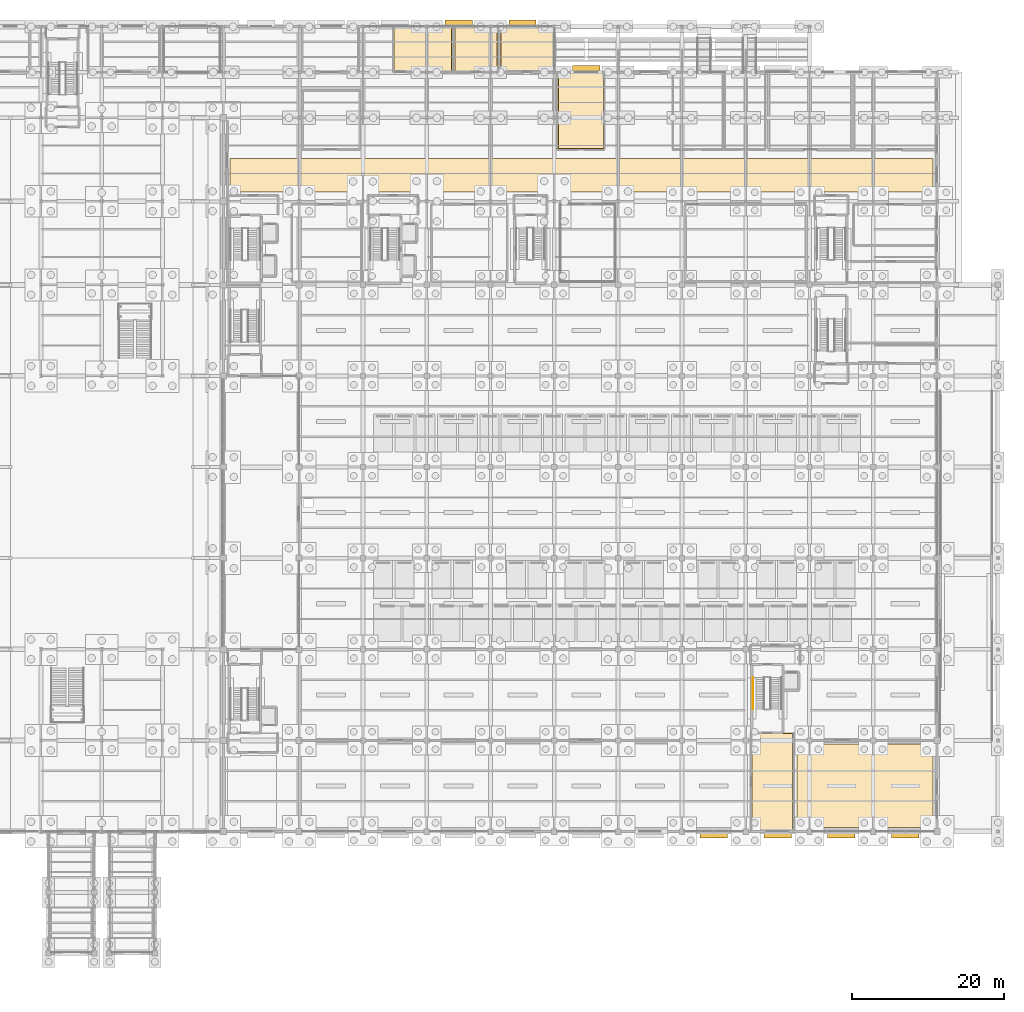
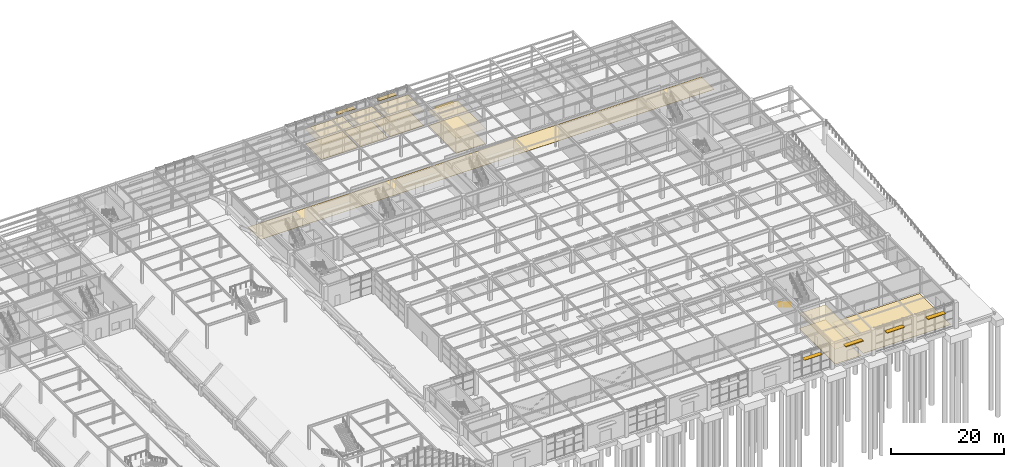
# One storey, part 126 of 129: 12 coverings, 7 shading devices, 1 railing.
"""IFC4 building model written with IfcOpenShell, lengths in metres."""

from ifc_helpers import new_model, si_unit, direction, frame, origin, origin_2d, place, context, subcontext, project, spatial, polyline, rectangle, circle, outline, extrude, material, layer, layer_set, type_object, element, save


model = new_model("IFC4")

# Units and contexts
model_context = context("Model", 3, precision=1e-05, world=origin(), true_north=direction((0.0, 1.0)))
body_context = subcontext(model_context, "Body", "Model", "MODEL_VIEW")
ifc_project = project(units=[si_unit("LENGTHUNIT", "METRE"), si_unit("AREAUNIT", "SQUARE_METRE"), si_unit("VOLUMEUNIT", "CUBIC_METRE"), si_unit("PLANEANGLEUNIT", "RADIAN"), si_unit("MASSUNIT", "GRAM", prefix="KILO")], contexts=[model_context])

# Site, building, storey
site_placement = place(None, origin())
site = spatial("IfcSite", under=ifc_project, at=site_placement, CompositionType="ELEMENT")
building_placement = place(site_placement, origin())
building = spatial("IfcBuilding", under=site, at=building_placement, Name="Sitalva Quay Ferry Terminal", CompositionType="ELEMENT")
storey_placement = place(building_placement, origin())
storey = spatial("IfcBuildingStorey", under=building, at=storey_placement, Name="L01", CompositionType="ELEMENT", Elevation=0.0)

# Coverings
ifc_material_1 = material(Name="Perforated Marine Aluminium Acoustic Ceiling", Category="aluminium")
ifc_layer_1 = layer(ifc_material_1, 0.0400390625)
ifc_layer_set_1 = layer_set([ifc_layer_1], Name="Perforated Marine Aluminium Acoustic Ceiling")
covering_type_1 = type_object("IfcCoveringType", Name="Ceiling_AcousticBaffle_40", PredefinedType="CEILING", material=ifc_layer_set_1)
covering_1_placement = place(storey_placement, frame((0.0, 0.0, 3.2099609375)))
element("IfcCovering", 1, at=covering_1_placement, inside=storey, type_object=covering_type_1, Name="Port First-Aid & Triage Clinic ceiling", PredefinedType="CEILING", context=body_context, shape_type="SweptSolid", body=[
    extrude(outline(polyline([(96.467529296875, 106.0673828125), (104.132568359375, 106.0673828125), (104.132568359375, 111.8798828125), (96.467529296875, 111.8798828125), (96.467529296875, 106.0673828125)])), origin(), (0.0, 0.0, 1.0), 0.0400390625),
])
covering_2_placement = place(storey_placement, frame((0.0, 0.0, 3.2099609375)))
element("IfcCovering", 2, at=covering_2_placement, inside=storey, type_object=covering_type_1, Name="Port Medical Isolation & Triage Room ceiling", PredefinedType="CEILING", context=body_context, shape_type="SweptSolid", body=[
    extrude(outline(polyline([(104.467529296875, 106.0673828125), (110.132568359375, 106.0673828125), (110.132568359375, 111.8798828125), (104.467529296875, 111.8798828125), (104.467529296875, 106.0673828125)])), origin(), (0.0, 0.0, 1.0), 0.0400390625),
])
covering_3_placement = place(storey_placement, frame((0.0, 0.0, 3.2099609375)))
element("IfcCovering", 3, at=covering_3_placement, inside=storey, type_object=covering_type_1, Name="Port Security Screening & CCTV Suite ceiling", PredefinedType="CEILING", context=body_context, shape_type="SweptSolid", body=[
    extrude(outline(polyline([(110.510009765625, 106.110107421875), (117.47998046875, 106.110107421875), (117.47998046875, 111.8798828125), (110.510009765625, 111.8798828125), (110.510009765625, 106.110107421875)])), origin(), (0.0, 0.0, 1.0), 0.0400390625),
])
ifc_material_2 = material(Name="Moisture-Resistant Acoustic Gypsum Ceiling", Category="gypsum")
ifc_layer_2 = layer(ifc_material_2, 0.02490234375)
ifc_layer_set_2 = layer_set([ifc_layer_2], Name="Moisture-Resistant Acoustic Gypsum Ceiling")
covering_type_2 = type_object("IfcCoveringType", Name="Ceiling_GypsumMoisture_25", PredefinedType="CEILING", material=ifc_layer_set_2)
covering_4_placement = place(storey_placement, frame((0.0, 0.0, 3.22509765625)))
element("IfcCovering", 4, at=covering_4_placement, inside=storey, type_object=covering_type_2, Name="Protected Exit Passage ST-08 ceiling", PredefinedType="CEILING", context=body_context, shape_type="SweptSolid", body=[
    extrude(outline(polyline([(143.590087890625, 6.1201171875), (149.010009765625, 6.1201171875), (149.010009765625, 18.9599609375), (143.590087890625, 18.9599609375), (143.590087890625, 6.1201171875)])), origin(), (0.0, 0.0, 1.0), 0.02490234375),
])
covering_5_placement = place(storey_placement, frame((0.0, 0.0, 3.22509765625)))
element("IfcCovering", 5, at=covering_5_placement, inside=storey, type_object=covering_type_2, Name="East Concourse Male Public Toilets ceiling", PredefinedType="CEILING", context=body_context, shape_type="SweptSolid", body=[
    extrude(outline(polyline([(118.070068359375, 95.8701171875), (124.1298828125, 95.8701171875), (124.1298828125, 105.8798828125), (118.070068359375, 105.8798828125), (118.070068359375, 95.8701171875)])), origin(), (0.0, 0.0, 1.0), 0.02490234375),
])
ifc_material_3 = material(Name="Heavy-Duty Acoustic Resilient Flooring", Category="polymer")
ifc_layer_3 = layer(ifc_material_3, 0.014892578125)
ifc_layer_set_3 = layer_set([ifc_layer_3], Name="Heavy-Duty Acoustic Resilient Flooring")
covering_type_3 = type_object("IfcCoveringType", Name="Finish_AcousticVinyl_15", PredefinedType="FLOORING", material=ifc_layer_set_3)
covering_6_placement = place(storey_placement, origin())
element("IfcCovering", 6, at=covering_6_placement, inside=storey, type_object=covering_type_3, Name="Port First-Aid & Triage Clinic floor finish", PredefinedType="FLOORING", context=body_context, shape_type="SweptSolid", body=[
    extrude(outline(polyline([(96.517578125, 106.117431640625), (104.08251953125, 106.117431640625), (104.08251953125, 111.830078125), (96.517578125, 111.830078125), (96.517578125, 106.117431640625)])), origin(), (0.0, 0.0, 1.0), 0.014892578125),
])
covering_7_placement = place(storey_placement, origin())
element("IfcCovering", 7, at=covering_7_placement, inside=storey, type_object=covering_type_3, Name="Port Medical Isolation & Triage Room floor finish", PredefinedType="FLOORING", context=body_context, shape_type="SweptSolid", body=[
    extrude(outline(polyline([(104.517578125, 106.117431640625), (110.08251953125, 106.117431640625), (110.08251953125, 111.830078125), (104.517578125, 111.830078125), (104.517578125, 106.117431640625)])), origin(), (0.0, 0.0, 1.0), 0.014892578125),
])
ifc_material_4 = material(Name="Anti-Slip Porcelain Tile", Category="ceramic")
ifc_layer_4 = layer(ifc_material_4, 0.02001953125)
ifc_layer_set_4 = layer_set([ifc_layer_4], Name="Anti-Slip Porcelain Tile")
covering_type_4 = type_object("IfcCoveringType", Name="Finish_CeramicWet_20", PredefinedType="FLOORING", material=ifc_layer_set_4)
covering_8_placement = place(storey_placement, origin())
element("IfcCovering", 8, at=covering_8_placement, inside=storey, type_object=covering_type_4, Name="East Concourse Male Public Toilets floor finish", PredefinedType="FLOORING", context=body_context, shape_type="SweptSolid", body=[
    extrude(outline(polyline([(118.1201171875, 95.919921875), (124.080078125, 95.919921875), (124.080078125, 105.830078125), (118.1201171875, 105.830078125), (118.1201171875, 95.919921875)])), origin(), (0.0, 0.0, 1.0), 0.02001953125),
])
ifc_material_5 = material(Name="Flamed Non-Slip Granite Paving", Category="masonry")
ifc_layer_5 = layer(ifc_material_5, 0.034912109375)
ifc_layer_set_5 = layer_set([ifc_layer_5], Name="Flamed Non-Slip Granite Paving")
covering_type_5 = type_object("IfcCoveringType", Name="Finish_Granite_35", PredefinedType="FLOORING", material=ifc_layer_set_5)
covering_9_placement = place(storey_placement, origin())
element("IfcCovering", 9, at=covering_9_placement, inside=storey, type_object=covering_type_5, Name="East Pier Boarding Concourse flooring", PredefinedType="FLOORING", context=body_context, shape_type="SweptSolid", body=[
    extrude(outline(polyline([(149.550048828125, 6.550048828125), (167.449951171875, 6.550048828125), (167.449951171875, 17.550048828125), (149.550048828125, 17.550048828125), (149.550048828125, 6.550048828125)])), origin(), (0.0, 0.0, 1.0), 0.034912109375),
])
covering_10_placement = place(storey_placement, origin())
element("IfcCovering", 10, at=covering_10_placement, inside=storey, type_object=covering_type_5, Name="Protected Exit Passage ST-08 floor finish", PredefinedType="FLOORING", context=body_context, shape_type="SweptSolid", body=[
    extrude(outline(polyline([(143.639892578125, 6.169921875), (148.9599609375, 6.169921875), (148.9599609375, 18.909912109375), (143.639892578125, 18.909912109375), (143.639892578125, 6.169921875)])), origin(), (0.0, 0.0, 1.0), 0.034912109375),
])
covering_11_placement = place(storey_placement, origin())
element("IfcCovering", 11, at=covering_11_placement, inside=storey, type_object=covering_type_5, Name="East Landward Terminal Concourse Spine flooring", PredefinedType="FLOORING", context=body_context, shape_type="SweptSolid", body=[
    extrude(outline(polyline([(74.89990234375, 90.199951171875), (167.449951171875, 90.199951171875), (167.449951171875, 94.64990234375), (74.89990234375, 94.64990234375), (74.89990234375, 90.199951171875)])), origin(), (0.0, 0.0, 1.0), 0.034912109375),
])
ifc_material_6 = material(Name="Polished River-Stone Terrazzo", Category="masonry")
ifc_layer_6 = layer(ifc_material_6, 0.030029296875)
ifc_layer_set_6 = layer_set([ifc_layer_6], Name="Polished River-Stone Terrazzo")
covering_type_6 = type_object("IfcCoveringType", Name="Finish_Terrazzo_30", PredefinedType="FLOORING", material=ifc_layer_set_6)
covering_12_placement = place(storey_placement, origin())
element("IfcCovering", 12, at=covering_12_placement, inside=storey, type_object=covering_type_6, Name="Port Security Screening & CCTV Suite floor finish", PredefinedType="FLOORING", context=body_context, shape_type="SweptSolid", body=[
    extrude(outline(polyline([(110.56005859375, 106.159912109375), (117.429931640625, 106.159912109375), (117.429931640625, 111.830078125), (110.56005859375, 111.830078125), (110.56005859375, 106.159912109375)])), origin(), (0.0, 0.0, 1.0), 0.030029296875),
])

# Railing
ifc_material_7 = material(Name="Stainless Steel 316L", Category="steel")
railing_type = type_object("IfcRailingType", Name="Railing_Handrail_900", PredefinedType="HANDRAIL", material=ifc_material_7)
railing_placement = place(storey_placement, frame((143.77001953125, 26.320068359375, 0.168701171875)))
element("IfcRailing", 13, at=railing_placement, inside=storey, type_object=railing_type, Name="L01 ST-08 stair handrail 1", PredefinedType="HANDRAIL", context=body_context, shape_type="SweptSolid", body=[
    extrude(circle(Radius=0.02392578125, at=origin_2d()), frame((0.0, 0.0, 0.8759765625), z_axis=(0.0, -0.856476492594, 0.516186030065), x_axis=(1.0, 0.0, 0.0)), (0.0, 0.0, 1.0), 4.90380859375),
    extrude(circle(Radius=0.02099609375, at=origin_2d()), origin(), (0.0, 0.0, 1.0), 0.851806640625),
    extrude(circle(Radius=0.02099609375, at=origin_2d()), frame((0.0, -0.840087890625, 0.50634765625)), (0.0, 0.0, 1.0), 0.851806640625),
    extrude(circle(Radius=0.02099609375, at=origin_2d()), frame((0.0, -1.679931640625, 1.012451171875)), (0.0, 0.0, 1.0), 0.851806640625),
    extrude(circle(Radius=0.02099609375, at=origin_2d()), frame((0.0, -2.52001953125, 1.518798828125)), (0.0, 0.0, 1.0), 0.851806640625),
    extrude(circle(Radius=0.02099609375, at=origin_2d()), frame((0.0, -3.35986328125, 2.02490234375)), (0.0, 0.0, 1.0), 0.851806640625),
    extrude(circle(Radius=0.02099609375, at=origin_2d()), frame((0.0, -4.199951171875, 2.53125)), (0.0, 0.0, 1.0), 0.851806640625),
])

# Shading devices
ifc_material_8 = material(Name="Anodised Marine Aluminium 6063-T6", Category="aluminium")
shading_device_type = type_object("IfcShadingDeviceType", Name="Shade_HorizontalLouvre_900", PredefinedType="USERDEFINED", material=ifc_material_8)
for number, where, z_axis, x_axis, name in (
    (14, (138.60009765625, 5.580078125, 3.8076171875), (0.0, 0.0, 1.0), (1.0, 0.0, 0.0), "Monsoon sunshade canopy BS-015"),
    (15, (147.0, 5.580078125, 3.8076171875), (0.0, 0.0, 1.0), (1.0, 0.0, 0.0), "Monsoon sunshade canopy BS-017"),
    (16, (155.39990234375, 5.580078125, 3.8076171875), (0.0, 0.0, 1.0), (1.0, 0.0, 0.0), "Monsoon sunshade canopy BS-019"),
    (17, (163.800048828125, 5.580078125, 3.8076171875), (0.0, 0.0, 1.0), (1.0, 0.0, 0.0), "Monsoon sunshade canopy BS-021"),
    (18, (121.800048828125, 106.419921875, 2.70751953125), (0.0, 0.0, 1.0), (1.0, 0.0, 0.0), "Monsoon sunshade canopy BS-028"),
    (19, (105.0, 112.419921875, 3.8076171875), (0.0, 0.0, 1.0), (1.0, 0.0, 0.0), "Monsoon sunshade canopy BS-038"),
    (20, (113.39990234375, 112.419921875, 3.8076171875), (0.0, 0.0, 1.0), (1.0, 0.0, 0.0), "Monsoon sunshade canopy BS-039"),
):
    element("IfcShadingDevice", number, at=place(storey_placement, frame(where, z_axis=z_axis, x_axis=x_axis)), inside=storey, type_object=shading_device_type, Name=name, ObjectType="SUNSHADE", PredefinedType="USERDEFINED", context=body_context, shape_type="SweptSolid", body=[
        extrude(rectangle(XDim=3.60009765625, YDim=0.89990234375, at=origin_2d()), origin(), (0.0, 0.0, 1.0), 0.0849609375),
    ])

save(model, "model.ifc")
